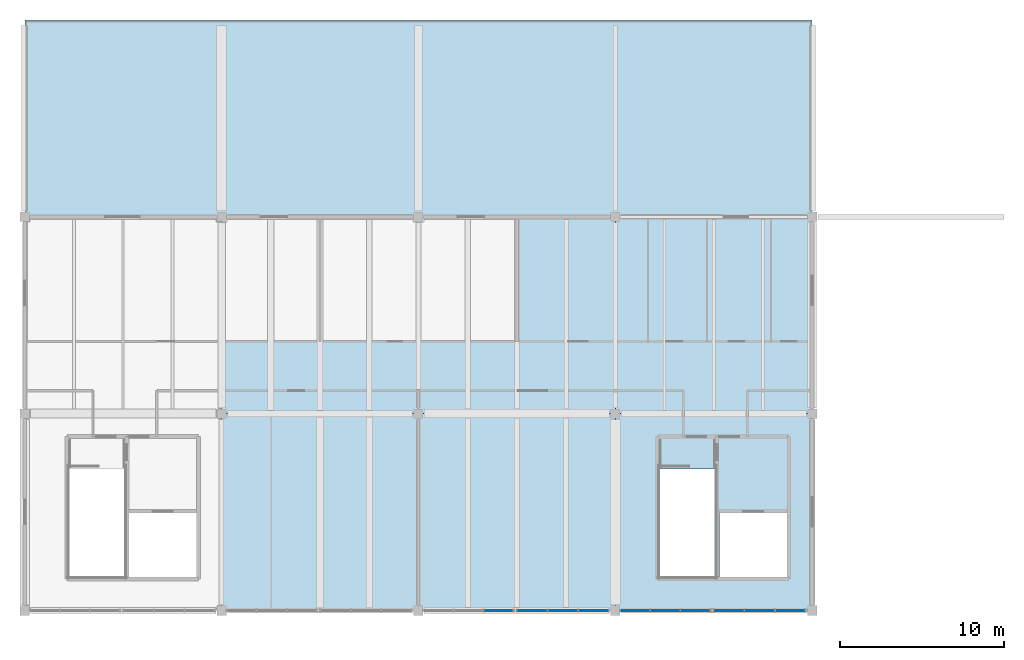
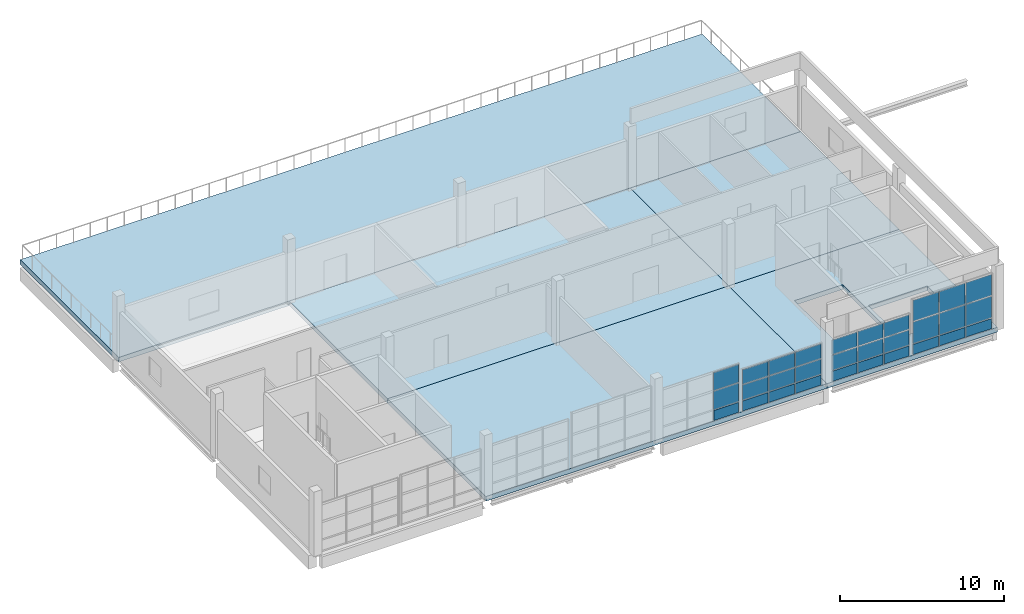
# One storey, part 5 of 8: 30 plates, 5 slabs, 4 elements without a shape of their own.
"""IFC4 building model written with IfcOpenShell, lengths in metres."""

from ifc_helpers import new_model, si_unit, direction, frame, origin, origin_2d, place, context, subcontext, project, spatial, polyline, rectangle, outline, extrude, material, layer, layer_set, type_object, element, aggregate, save


model = new_model("IFC4")

# Units and contexts
model_context = context("Model", 3, precision=1e-05, world=origin(), true_north=direction((0.0, 1.0)))
body_context = subcontext(model_context, "Body", "Model", "MODEL_VIEW")
ifc_project = project(units=[si_unit("LENGTHUNIT", "METRE"), si_unit("AREAUNIT", "SQUARE_METRE"), si_unit("VOLUMEUNIT", "CUBIC_METRE"), si_unit("PLANEANGLEUNIT", "RADIAN"), si_unit("MASSUNIT", "GRAM", prefix="KILO")], contexts=[model_context])

# Site, building, storey
site_placement = place(None, origin())
site = spatial("IfcSite", under=ifc_project, at=site_placement, CompositionType="ELEMENT")
building_placement = place(site_placement, origin())
building = spatial("IfcBuilding", under=site, at=building_placement, Name="Kamomehara Wholesale Market", CompositionType="ELEMENT")
storey_placement = place(building_placement, frame((0.0, 0.0, 16.199951171875)))
storey = spatial("IfcBuildingStorey", under=building, at=storey_placement, Name="L03", CompositionType="ELEMENT", Elevation=16.199951171875)

# Curtain wall, plates
ifc_material_1 = material(Name="Anodised aluminium 6063-T5", Category="aluminium")
curtain_wall_type = type_object("IfcCurtainWallType", Name="CW-UN-01", PredefinedType="NOTDEFINED", material=ifc_material_1)
curtain_wall_1_placement = place(storey_placement, origin())
curtain_wall_1 = element("IfcCurtainWall", 1, at=curtain_wall_1_placement, inside=storey, type_object=curtain_wall_type, Name="Unitised curtain wall CW-155", PredefinedType="NOTDEFINED")
ifc_material_2 = material(Name="Solar-control Low-E double glazing", Category="glass")
ifc_layer_1 = layer(ifc_material_2, 0.028076171875)
ifc_layer_set_1 = layer_set([ifc_layer_1], Name="Solar-control Low-E double glazing")
plate_type_1 = type_object("IfcPlateType", Name="CW-PNL-GLZ", PredefinedType="CURTAIN_PANEL", material=ifc_layer_set_1)
plate_1_placement = place(storey_placement, frame((142.6669921875, 11.97998046875, 0.87939453125), z_axis=(0.0, 0.0, 1.0), x_axis=(-1.0, 0.0, 0.0)))
plate_1 = element("IfcPlate", 2, at=plate_1_placement, type_object=plate_type_1, Name="Curtain panel CW-155.0.1", PredefinedType="CURTAIN_PANEL", context=body_context, shape_type="SweptSolid", body=[
    extrude(rectangle(XDim=1.787109375, YDim=0.028076171875, at=origin_2d()), origin(), (0.0, 0.0, 1.0), 1.118896484375),
])
plate_2_placement = place(storey_placement, frame((142.6669921875, 11.97998046875, 2.05859375), z_axis=(0.0, 0.0, 1.0), x_axis=(-1.0, 0.0, 0.0)))
plate_2 = element("IfcPlate", 3, at=plate_2_placement, type_object=plate_type_1, Name="Curtain panel CW-155.0.2", PredefinedType="CURTAIN_PANEL", context=body_context, shape_type="SweptSolid", body=[
    extrude(rectangle(XDim=1.787109375, YDim=0.028076171875, at=origin_2d()), origin(), (0.0, 0.0, 1.0), 1.0791015625),
])
plate_3_placement = place(storey_placement, frame((140.800048828125, 11.97998046875, 0.87939453125), z_axis=(0.0, 0.0, 1.0), x_axis=(-1.0, 0.0, 0.0)))
plate_3 = element("IfcPlate", 4, at=plate_3_placement, type_object=plate_type_1, Name="Curtain panel CW-155.1.1", PredefinedType="CURTAIN_PANEL", context=body_context, shape_type="SweptSolid", body=[
    extrude(rectangle(XDim=1.787109375, YDim=0.028076171875, at=origin_2d()), origin(), (0.0, 0.0, 1.0), 1.118896484375),
])
plate_4_placement = place(storey_placement, frame((140.800048828125, 11.97998046875, 2.05859375), z_axis=(0.0, 0.0, 1.0), x_axis=(-1.0, 0.0, 0.0)))
plate_4 = element("IfcPlate", 5, at=plate_4_placement, type_object=plate_type_1, Name="Curtain panel CW-155.1.2", PredefinedType="CURTAIN_PANEL", context=body_context, shape_type="SweptSolid", body=[
    extrude(rectangle(XDim=1.787109375, YDim=0.028076171875, at=origin_2d()), origin(), (0.0, 0.0, 1.0), 1.0791015625),
])
plate_5_placement = place(storey_placement, frame((138.93310546875, 11.97998046875, 0.87939453125), z_axis=(0.0, 0.0, 1.0), x_axis=(-1.0, 0.0, 0.0)))
plate_5 = element("IfcPlate", 6, at=plate_5_placement, type_object=plate_type_1, Name="Curtain panel CW-155.2.1", PredefinedType="CURTAIN_PANEL", context=body_context, shape_type="SweptSolid", body=[
    extrude(rectangle(XDim=1.787109375, YDim=0.028076171875, at=origin_2d()), origin(), (0.0, 0.0, 1.0), 1.118896484375),
])
plate_6_placement = place(storey_placement, frame((138.93310546875, 11.97998046875, 2.05859375), z_axis=(0.0, 0.0, 1.0), x_axis=(-1.0, 0.0, 0.0)))
plate_6 = element("IfcPlate", 7, at=plate_6_placement, type_object=plate_type_1, Name="Curtain panel CW-155.2.2", PredefinedType="CURTAIN_PANEL", context=body_context, shape_type="SweptSolid", body=[
    extrude(rectangle(XDim=1.787109375, YDim=0.028076171875, at=origin_2d()), origin(), (0.0, 0.0, 1.0), 1.0791015625),
])

curtain_wall_2_placement = place(storey_placement, origin())
curtain_wall_2 = element("IfcCurtainWall", 8, at=curtain_wall_2_placement, inside=storey, type_object=curtain_wall_type, Name="Unitised curtain wall CW-156", PredefinedType="NOTDEFINED")
plate_7_placement = place(storey_placement, frame((136.883056640625, 11.97998046875, 0.87939453125), z_axis=(0.0, 0.0, 1.0), x_axis=(-1.0, 0.0, 0.0)))
plate_7 = element("IfcPlate", 9, at=plate_7_placement, type_object=plate_type_1, Name="Curtain panel CW-156.0.1", PredefinedType="CURTAIN_PANEL", context=body_context, shape_type="SweptSolid", body=[
    extrude(rectangle(XDim=1.7529296875, YDim=0.028076171875, at=origin_2d()), origin(), (0.0, 0.0, 1.0), 1.368896484375),
])
plate_8_placement = place(storey_placement, frame((136.883056640625, 11.97998046875, 2.30859375), z_axis=(0.0, 0.0, 1.0), x_axis=(-1.0, 0.0, 0.0)))
plate_8 = element("IfcPlate", 10, at=plate_8_placement, type_object=plate_type_1, Name="Curtain panel CW-156.0.2", PredefinedType="CURTAIN_PANEL", context=body_context, shape_type="SweptSolid", body=[
    extrude(rectangle(XDim=1.7529296875, YDim=0.028076171875, at=origin_2d()), origin(), (0.0, 0.0, 1.0), 1.3291015625),
])

curtain_wall_3_placement = place(storey_placement, origin())
curtain_wall_3 = element("IfcCurtainWall", 11, at=curtain_wall_3_placement, inside=storey, type_object=curtain_wall_type, Name="Unitised curtain wall CW-157", PredefinedType="NOTDEFINED")
plate_9_placement = place(storey_placement, frame((154.6669921875, 11.97998046875, 0.880126953125), z_axis=(0.0, 0.0, 1.0), x_axis=(-1.0, 0.0, 0.0)))
plate_9 = element("IfcPlate", 12, at=plate_9_placement, type_object=plate_type_1, Name="Curtain panel CW-157.0.1", PredefinedType="CURTAIN_PANEL", context=body_context, shape_type="SweptSolid", body=[
    extrude(rectangle(XDim=1.787109375, YDim=0.028076171875, at=origin_2d()), origin(), (0.0, 0.0, 1.0), 1.60400390625),
])
plate_10_placement = place(storey_placement, frame((154.6669921875, 11.97998046875, 2.5439453125), z_axis=(0.0, 0.0, 1.0), x_axis=(-1.0, 0.0, 0.0)))
plate_10 = element("IfcPlate", 13, at=plate_10_placement, type_object=plate_type_1, Name="Curtain panel CW-157.0.2", PredefinedType="CURTAIN_PANEL", context=body_context, shape_type="SweptSolid", body=[
    extrude(rectangle(XDim=1.787109375, YDim=0.028076171875, at=origin_2d()), origin(), (0.0, 0.0, 1.0), 1.56396484375),
])
plate_11_placement = place(storey_placement, frame((152.800048828125, 11.97998046875, 0.880126953125), z_axis=(0.0, 0.0, 1.0), x_axis=(-1.0, 0.0, 0.0)))
plate_11 = element("IfcPlate", 14, at=plate_11_placement, type_object=plate_type_1, Name="Curtain panel CW-157.1.1", PredefinedType="CURTAIN_PANEL", context=body_context, shape_type="SweptSolid", body=[
    extrude(rectangle(XDim=1.787109375, YDim=0.028076171875, at=origin_2d()), origin(), (0.0, 0.0, 1.0), 1.60400390625),
])
plate_12_placement = place(storey_placement, frame((152.800048828125, 11.97998046875, 2.5439453125), z_axis=(0.0, 0.0, 1.0), x_axis=(-1.0, 0.0, 0.0)))
plate_12 = element("IfcPlate", 15, at=plate_12_placement, type_object=plate_type_1, Name="Curtain panel CW-157.1.2", PredefinedType="CURTAIN_PANEL", context=body_context, shape_type="SweptSolid", body=[
    extrude(rectangle(XDim=1.787109375, YDim=0.028076171875, at=origin_2d()), origin(), (0.0, 0.0, 1.0), 1.56396484375),
])
plate_13_placement = place(storey_placement, frame((150.93310546875, 11.97998046875, 0.880126953125), z_axis=(0.0, 0.0, 1.0), x_axis=(-1.0, 0.0, 0.0)))
plate_13 = element("IfcPlate", 16, at=plate_13_placement, type_object=plate_type_1, Name="Curtain panel CW-157.2.1", PredefinedType="CURTAIN_PANEL", context=body_context, shape_type="SweptSolid", body=[
    extrude(rectangle(XDim=1.787109375, YDim=0.028076171875, at=origin_2d()), origin(), (0.0, 0.0, 1.0), 1.60400390625),
])
plate_14_placement = place(storey_placement, frame((150.93310546875, 11.97998046875, 2.5439453125), z_axis=(0.0, 0.0, 1.0), x_axis=(-1.0, 0.0, 0.0)))
plate_14 = element("IfcPlate", 17, at=plate_14_placement, type_object=plate_type_1, Name="Curtain panel CW-157.2.2", PredefinedType="CURTAIN_PANEL", context=body_context, shape_type="SweptSolid", body=[
    extrude(rectangle(XDim=1.787109375, YDim=0.028076171875, at=origin_2d()), origin(), (0.0, 0.0, 1.0), 1.56396484375),
])

curtain_wall_4_placement = place(storey_placement, origin())
curtain_wall_4 = element("IfcCurtainWall", 18, at=curtain_wall_4_placement, inside=storey, type_object=curtain_wall_type, Name="Unitised curtain wall CW-158", PredefinedType="NOTDEFINED")
plate_15_placement = place(storey_placement, frame((148.883056640625, 11.97998046875, 0.87939453125), z_axis=(0.0, 0.0, 1.0), x_axis=(-1.0, 0.0, 0.0)))
plate_15 = element("IfcPlate", 19, at=plate_15_placement, type_object=plate_type_1, Name="Curtain panel CW-158.0.1", PredefinedType="CURTAIN_PANEL", context=body_context, shape_type="SweptSolid", body=[
    extrude(rectangle(XDim=1.7529296875, YDim=0.028076171875, at=origin_2d()), origin(), (0.0, 0.0, 1.0), 1.118896484375),
])
plate_16_placement = place(storey_placement, frame((148.883056640625, 11.97998046875, 2.05859375), z_axis=(0.0, 0.0, 1.0), x_axis=(-1.0, 0.0, 0.0)))
plate_16 = element("IfcPlate", 20, at=plate_16_placement, type_object=plate_type_1, Name="Curtain panel CW-158.0.2", PredefinedType="CURTAIN_PANEL", context=body_context, shape_type="SweptSolid", body=[
    extrude(rectangle(XDim=1.7529296875, YDim=0.028076171875, at=origin_2d()), origin(), (0.0, 0.0, 1.0), 1.0791015625),
])
plate_17_placement = place(storey_placement, frame((147.050048828125, 11.97998046875, 0.87939453125), z_axis=(0.0, 0.0, 1.0), x_axis=(-1.0, 0.0, 0.0)))
plate_17 = element("IfcPlate", 21, at=plate_17_placement, type_object=plate_type_1, Name="Curtain panel CW-158.1.1", PredefinedType="CURTAIN_PANEL", context=body_context, shape_type="SweptSolid", body=[
    extrude(rectangle(XDim=1.7529296875, YDim=0.028076171875, at=origin_2d()), origin(), (0.0, 0.0, 1.0), 1.118896484375),
])
plate_18_placement = place(storey_placement, frame((147.050048828125, 11.97998046875, 2.05859375), z_axis=(0.0, 0.0, 1.0), x_axis=(-1.0, 0.0, 0.0)))
plate_18 = element("IfcPlate", 22, at=plate_18_placement, type_object=plate_type_1, Name="Curtain panel CW-158.1.2", PredefinedType="CURTAIN_PANEL", context=body_context, shape_type="SweptSolid", body=[
    extrude(rectangle(XDim=1.7529296875, YDim=0.028076171875, at=origin_2d()), origin(), (0.0, 0.0, 1.0), 1.0791015625),
])
plate_19_placement = place(storey_placement, frame((145.217041015625, 11.97998046875, 0.87939453125), z_axis=(0.0, 0.0, 1.0), x_axis=(-1.0, 0.0, 0.0)))
plate_19 = element("IfcPlate", 23, at=plate_19_placement, type_object=plate_type_1, Name="Curtain panel CW-158.2.1", PredefinedType="CURTAIN_PANEL", context=body_context, shape_type="SweptSolid", body=[
    extrude(rectangle(XDim=1.7529296875, YDim=0.028076171875, at=origin_2d()), origin(), (0.0, 0.0, 1.0), 1.118896484375),
])
plate_20_placement = place(storey_placement, frame((145.217041015625, 11.97998046875, 2.05859375), z_axis=(0.0, 0.0, 1.0), x_axis=(-1.0, 0.0, 0.0)))
plate_20 = element("IfcPlate", 24, at=plate_20_placement, type_object=plate_type_1, Name="Curtain panel CW-158.2.2", PredefinedType="CURTAIN_PANEL", context=body_context, shape_type="SweptSolid", body=[
    extrude(rectangle(XDim=1.7529296875, YDim=0.028076171875, at=origin_2d()), origin(), (0.0, 0.0, 1.0), 1.0791015625),
])

# Plate
ifc_material_3 = material(Name="Insulated aluminium spandrel panel", Category="aluminium")
ifc_layer_2 = layer(ifc_material_3, 0.0400390625)
ifc_layer_set_2 = layer_set([ifc_layer_2], Name="Insulated aluminium spandrel panel")
plate_type_2 = type_object("IfcPlateType", Name="CW-PNL-SPN", PredefinedType="CURTAIN_PANEL", material=ifc_layer_set_2)
plate_21_placement = place(storey_placement, frame((142.6669921875, 11.97998046875, 0.070068359375), z_axis=(0.0, 0.0, 1.0), x_axis=(-1.0, 0.0, 0.0)))
plate_21 = element("IfcPlate", 25, at=plate_21_placement, type_object=plate_type_2, Name="Curtain panel CW-155.0.0", PredefinedType="CURTAIN_PANEL", context=body_context, shape_type="SweptSolid", body=[
    extrude(rectangle(XDim=1.787109375, YDim=0.0400390625, at=origin_2d()), origin(), (0.0, 0.0, 1.0), 0.75),
])

plate_22_placement = place(storey_placement, frame((140.800048828125, 11.97998046875, 0.070068359375), z_axis=(0.0, 0.0, 1.0), x_axis=(-1.0, 0.0, 0.0)))
plate_22 = element("IfcPlate", 26, at=plate_22_placement, type_object=plate_type_2, Name="Curtain panel CW-155.1.0", PredefinedType="CURTAIN_PANEL", context=body_context, shape_type="SweptSolid", body=[
    extrude(rectangle(XDim=1.787109375, YDim=0.0400390625, at=origin_2d()), origin(), (0.0, 0.0, 1.0), 0.75),
])

plate_23_placement = place(storey_placement, frame((138.93310546875, 11.97998046875, 0.070068359375), z_axis=(0.0, 0.0, 1.0), x_axis=(-1.0, 0.0, 0.0)))
plate_23 = element("IfcPlate", 27, at=plate_23_placement, type_object=plate_type_2, Name="Curtain panel CW-155.2.0", PredefinedType="CURTAIN_PANEL", context=body_context, shape_type="SweptSolid", body=[
    extrude(rectangle(XDim=1.787109375, YDim=0.0400390625, at=origin_2d()), origin(), (0.0, 0.0, 1.0), 0.75),
])

aggregate(curtain_wall_1, [plate_21, plate_1, plate_2, plate_22, plate_3, plate_4, plate_23, plate_5, plate_6])

plate_24_placement = place(storey_placement, frame((136.883056640625, 11.97998046875, 0.070068359375), z_axis=(0.0, 0.0, 1.0), x_axis=(-1.0, 0.0, 0.0)))
plate_24 = element("IfcPlate", 28, at=plate_24_placement, type_object=plate_type_2, Name="Curtain panel CW-156.0.0", PredefinedType="CURTAIN_PANEL", context=body_context, shape_type="SweptSolid", body=[
    extrude(rectangle(XDim=1.7529296875, YDim=0.0400390625, at=origin_2d()), origin(), (0.0, 0.0, 1.0), 0.75),
])

aggregate(curtain_wall_2, [plate_24, plate_7, plate_8])

plate_25_placement = place(storey_placement, frame((154.6669921875, 11.97998046875, 0.070068359375), z_axis=(0.0, 0.0, 1.0), x_axis=(-1.0, 0.0, 0.0)))
plate_25 = element("IfcPlate", 29, at=plate_25_placement, type_object=plate_type_2, Name="Curtain panel CW-157.0.0", PredefinedType="CURTAIN_PANEL", context=body_context, shape_type="SweptSolid", body=[
    extrude(rectangle(XDim=1.787109375, YDim=0.0400390625, at=origin_2d()), origin(), (0.0, 0.0, 1.0), 0.75),
])

plate_26_placement = place(storey_placement, frame((152.800048828125, 11.97998046875, 0.070068359375), z_axis=(0.0, 0.0, 1.0), x_axis=(-1.0, 0.0, 0.0)))
plate_26 = element("IfcPlate", 30, at=plate_26_placement, type_object=plate_type_2, Name="Curtain panel CW-157.1.0", PredefinedType="CURTAIN_PANEL", context=body_context, shape_type="SweptSolid", body=[
    extrude(rectangle(XDim=1.787109375, YDim=0.0400390625, at=origin_2d()), origin(), (0.0, 0.0, 1.0), 0.75),
])

plate_27_placement = place(storey_placement, frame((150.93310546875, 11.97998046875, 0.070068359375), z_axis=(0.0, 0.0, 1.0), x_axis=(-1.0, 0.0, 0.0)))
plate_27 = element("IfcPlate", 31, at=plate_27_placement, type_object=plate_type_2, Name="Curtain panel CW-157.2.0", PredefinedType="CURTAIN_PANEL", context=body_context, shape_type="SweptSolid", body=[
    extrude(rectangle(XDim=1.787109375, YDim=0.0400390625, at=origin_2d()), origin(), (0.0, 0.0, 1.0), 0.75),
])

aggregate(curtain_wall_3, [plate_25, plate_9, plate_10, plate_26, plate_11, plate_12, plate_27, plate_13, plate_14])

plate_28_placement = place(storey_placement, frame((148.883056640625, 11.97998046875, 0.070068359375), z_axis=(0.0, 0.0, 1.0), x_axis=(-1.0, 0.0, 0.0)))
plate_28 = element("IfcPlate", 32, at=plate_28_placement, type_object=plate_type_2, Name="Curtain panel CW-158.0.0", PredefinedType="CURTAIN_PANEL", context=body_context, shape_type="SweptSolid", body=[
    extrude(rectangle(XDim=1.7529296875, YDim=0.0400390625, at=origin_2d()), origin(), (0.0, 0.0, 1.0), 0.75),
])

plate_29_placement = place(storey_placement, frame((147.050048828125, 11.97998046875, 0.070068359375), z_axis=(0.0, 0.0, 1.0), x_axis=(-1.0, 0.0, 0.0)))
plate_29 = element("IfcPlate", 33, at=plate_29_placement, type_object=plate_type_2, Name="Curtain panel CW-158.1.0", PredefinedType="CURTAIN_PANEL", context=body_context, shape_type="SweptSolid", body=[
    extrude(rectangle(XDim=1.7529296875, YDim=0.0400390625, at=origin_2d()), origin(), (0.0, 0.0, 1.0), 0.75),
])

plate_30_placement = place(storey_placement, frame((145.217041015625, 11.97998046875, 0.070068359375), z_axis=(0.0, 0.0, 1.0), x_axis=(-1.0, 0.0, 0.0)))
plate_30 = element("IfcPlate", 34, at=plate_30_placement, type_object=plate_type_2, Name="Curtain panel CW-158.2.0", PredefinedType="CURTAIN_PANEL", context=body_context, shape_type="SweptSolid", body=[
    extrude(rectangle(XDim=1.7529296875, YDim=0.0400390625, at=origin_2d()), origin(), (0.0, 0.0, 1.0), 0.75),
])

aggregate(curtain_wall_4, [plate_28, plate_15, plate_16, plate_29, plate_17, plate_18, plate_30, plate_19, plate_20])

# Slabs
ifc_material_4 = material(Name="Concrete Fc30 (C30/37)", Category="concrete")
ifc_layer_3 = layer(ifc_material_4, 0.344970703125)
ifc_layer_set_3 = layer_set([ifc_layer_3], Name="Concrete Fc30 (C30/37)")
slab_type_1 = type_object("IfcSlabType", Name="SLB-EXT-250", PredefinedType="FLOOR", material=ifc_layer_set_3)
slab_1_placement = place(storey_placement, frame((0.0, 0.0, -0.344970703125)))
element("IfcSlab", 35, at=slab_1_placement, inside=storey, type_object=slab_type_1, Name="External slab OSLB-L03-TER3", PredefinedType="FLOOR", context=body_context, shape_type="SweptSolid", body=[
    extrude(outline(polyline([(108.0, 36.0), (156.0, 36.0), (156.0, 48.0), (108.0, 48.0), (108.0, 36.0)])), origin(), (0.0, 0.0, 1.0), 0.344970703125),
])
ifc_material_5 = material(Name="Concrete Fc36 (C35/45)", Category="concrete")
ifc_layer_4 = layer(ifc_material_5, 0.320068359375)
ifc_layer_set_4 = layer_set([ifc_layer_4], Name="Concrete Fc36 (C35/45)")
slab_type_2 = type_object("IfcSlabType", Name="SLB-FLR-240", PredefinedType="FLOOR", material=ifc_layer_set_4)
slab_2_placement = place(storey_placement, frame((0.0, 0.0, -0.320068359375)))
element("IfcSlab", 36, at=slab_2_placement, inside=storey, type_object=slab_type_2, Name="Floor slab V5 L03 134", PredefinedType="FLOOR", context=body_context, shape_type="SweptSolid", body=[
    extrude(outline(polyline([(156.0, 24.0), (144.0, 24.0), (144.0, 36.0), (156.0, 36.0), (156.0, 24.0)])), origin(), (0.0, 0.0, 1.0), 0.320068359375),
])
ifc_material_6 = material(Name="Concrete Fc36 (C35/45)", Category="concrete")
ifc_layer_5 = layer(ifc_material_6, 0.330078125)
ifc_layer_set_5 = layer_set([ifc_layer_5], Name="Concrete Fc36 (C35/45)")
slab_type_3 = type_object("IfcSlabType", Name="SLB-FLR-260", PredefinedType="FLOOR", material=ifc_layer_set_5)
slab_3_placement = place(storey_placement, frame((0.0, 0.0, -0.329833984375)))
element("IfcSlab", 37, at=slab_3_placement, inside=storey, type_object=slab_type_3, Name="Floor slab V5 L03 132", PredefinedType="FLOOR", context=body_context, shape_type="SweptSolid", body=[
    extrude(outline(polyline([(144.0, 24.0), (120.0, 24.0), (120.0, 36.0), (144.0, 36.0), (144.0, 24.0)])), origin(), (0.0, 0.0, 1.0), 0.329833984375),
])
ifc_material_7 = material(Name="Concrete Fc36 (C35/45)", Category="concrete")
ifc_layer_6 = layer(ifc_material_7, 0.340087890625)
ifc_layer_set_6 = layer_set([ifc_layer_6], Name="Concrete Fc36 (C35/45)")
slab_type_4 = type_object("IfcSlabType", Name="SLB-FLR-280", PredefinedType="FLOOR", material=ifc_layer_set_6)
slab_4_placement = place(storey_placement, frame((0.0, 0.0, -0.33984375)))
element("IfcSlab", 38, at=slab_4_placement, inside=storey, type_object=slab_type_4, Name="Floor slab V5 L03 131", PredefinedType="FLOOR", context=body_context, shape_type="SweptSolid", body=[
    extrude(outline(polyline([(120.0, 24.0), (144.0, 24.0), (144.0, 12.0), (120.0, 12.0), (120.0, 24.0)])), origin(), (0.0, 0.0, 1.0), 0.33984375),
])
ifc_material_8 = material(Name="Concrete Fc36 (C35/45)", Category="concrete")
ifc_layer_7 = layer(ifc_material_8, 0.35009765625)
ifc_layer_set_7 = layer_set([ifc_layer_7], Name="Concrete Fc36 (C35/45)")
slab_type_5 = type_object("IfcSlabType", Name="SLB-FLR-300", PredefinedType="FLOOR", material=ifc_layer_set_7)
slab_5_placement = place(storey_placement, frame((0.0, 0.0, -0.349853515625)))
element("IfcSlab", 39, at=slab_5_placement, inside=storey, type_object=slab_type_5, Name="Floor slab V5 L03 133", PredefinedType="FLOOR", context=body_context, shape_type="SweptSolid", body=[
    extrude(outline(polyline([(156.0, 12.0), (144.0, 12.0), (144.0, 24.0), (156.0, 24.0), (156.0, 12.0)]), holes=[polyline([(150.10009765625, 14.050048828125), (150.10009765625, 20.6298828125), (146.699951171875, 20.6298828125), (146.699951171875, 14.050048828125), (150.10009765625, 14.050048828125)]), polyline([(154.47998046875, 14.050048828125), (154.47998046875, 17.929931640625), (150.340087890625, 17.929931640625), (150.340087890625, 14.050048828125), (154.47998046875, 14.050048828125)])]), origin(), (0.0, 0.0, 1.0), 0.349853515625),
])

save(model, "model.ifc")
